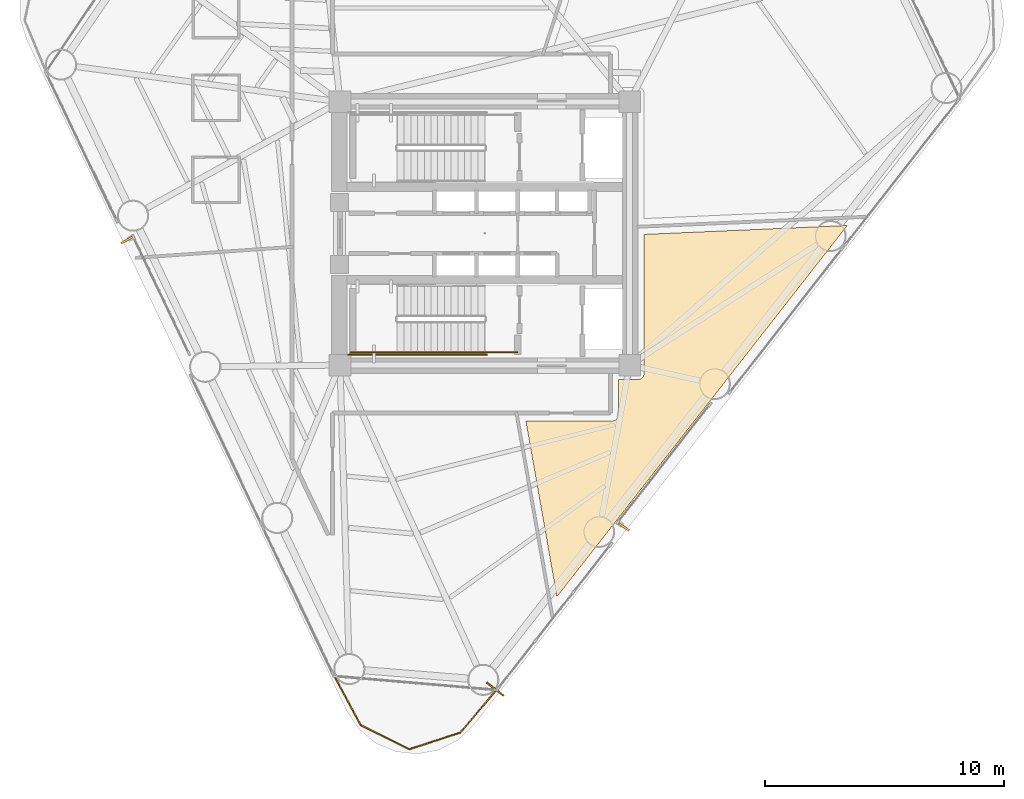
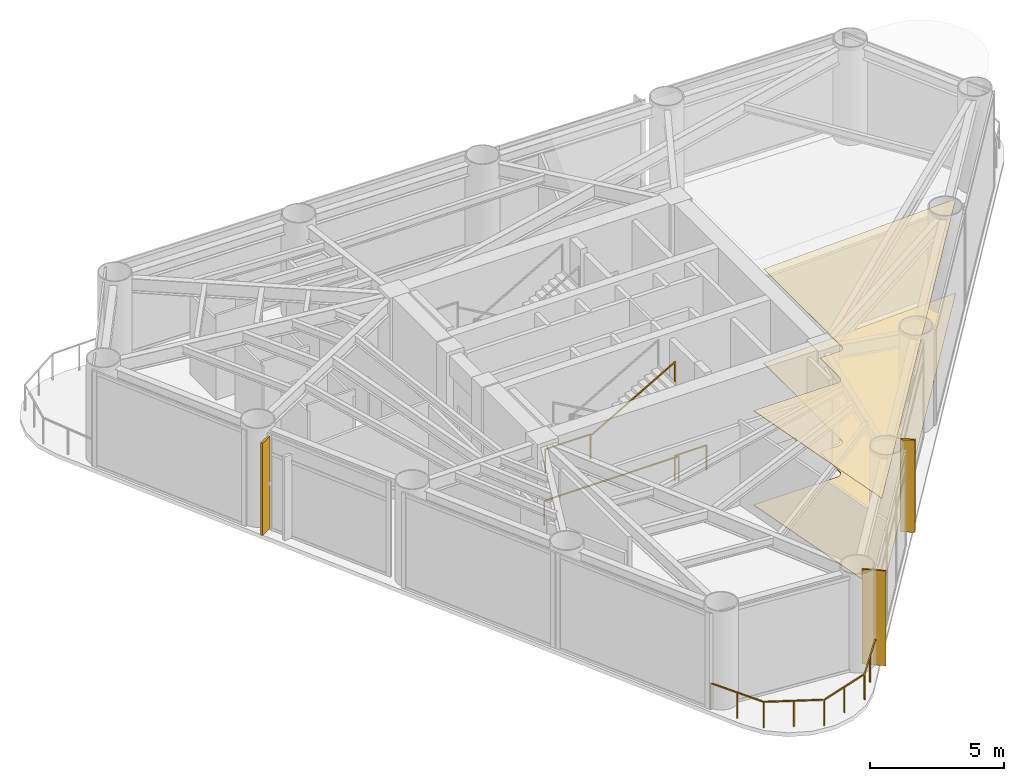
# One storey, part 8 of 11: 5 railings, 3 coverings, 2 shading devices.
"""IFC4 building model written with IfcOpenShell, lengths in metres."""

from ifc_helpers import new_model, si_unit, direction, frame, origin, origin_2d, place, context, subcontext, project, spatial, polyline, rectangle, outline, extrude, source, transform, mapped, material, layer, layer_set, material_profile, profile_set, type_object, element, save


model = new_model("IFC4")

# Units and contexts
model_context = context("Model", 3, precision=1e-05, world=origin(), true_north=direction((0.0, 1.0)))
body_context = subcontext(model_context, "Body", "Model", "MODEL_VIEW")
ifc_project = project(units=[si_unit("LENGTHUNIT", "METRE"), si_unit("AREAUNIT", "SQUARE_METRE"), si_unit("VOLUMEUNIT", "CUBIC_METRE"), si_unit("PLANEANGLEUNIT", "RADIAN"), si_unit("MASSUNIT", "GRAM", prefix="KILO")], contexts=[model_context])

# Site, building, storey
site_placement = place(None, origin())
site = spatial("IfcSite", under=ifc_project, at=site_placement, CompositionType="ELEMENT")
building_placement = place(site_placement, origin())
building = spatial("IfcBuilding", under=site, at=building_placement, Name="Yunling Apex Tower", CompositionType="ELEMENT")
storey_placement = place(building_placement, frame((0.0, 0.0, 125.0)))
storey = spatial("IfcBuildingStorey", under=building, at=storey_placement, Name="L30", CompositionType="ELEMENT", Elevation=125.0)

# Coverings
ifc_material_1 = material(Name="Acoustic mineral fibre ceiling")
ifc_layer_1 = layer(ifc_material_1, 0.02490234375)
ifc_layer_set_1 = layer_set([ifc_layer_1], Name="Acoustic mineral fibre ceiling")
covering_type_1 = type_object("IfcCoveringType", Name="CV-CLG-1", PredefinedType="CEILING", material=ifc_layer_set_1)
covering_1_placement = place(storey_placement, frame((0.0, 0.0, 4.294921875)))
element("IfcCovering", 1, at=covering_1_placement, inside=storey, type_object=covering_type_1, Name="CV-CL-SP-L30-R02", PredefinedType="CEILING", context=body_context, shape_type="SweptSolid", body=[
    extrude(outline(polyline([(15.145751953125, 0.3310546875), (3.011474609375, -15.17822265625), (1.7158203125, -7.830078125), (5.333740234375, -7.830078125), (5.35498046875, -7.829345703125), (5.380615234375, -7.824951171875), (5.402587890625, -7.819580078125), (5.4248046875, -7.8115234375), (5.4482421875, -7.80078125), (5.469970703125, -7.787353515625), (5.48876953125, -7.7734375), (5.5068359375, -7.7568359375), (5.5234375, -7.73876953125), (5.537353515625, -7.719970703125), (5.55078125, -7.6982421875), (5.5615234375, -7.6748046875), (5.569580078125, -7.652587890625), (5.574951171875, -7.630615234375), (5.579345703125, -7.60498046875), (5.580078125, -7.583740234375), (5.580078125, -6.10009765625), (6.40380859375, -6.10009765625), (6.4248046875, -6.099365234375), (6.45068359375, -6.094970703125), (6.472412109375, -6.089599609375), (6.494873046875, -6.08154296875), (6.518310546875, -6.07080078125), (6.5400390625, -6.057373046875), (6.55859375, -6.04345703125), (6.576904296875, -6.02685546875), (6.593505859375, -6.0087890625), (6.607421875, -5.989990234375), (6.62060546875, -5.96826171875), (6.631591796875, -5.94482421875), (6.639404296875, -5.922607421875), (6.64501953125, -5.900634765625), (6.6494140625, -5.875), (6.64990234375, -5.853759765625), (6.64990234375, -0.0400390625), (15.145751953125, 0.3310546875)])), origin(), (0.0, 0.0, 1.0), 0.025146484375),
])
ifc_material_2 = material(Name="Polished granite stone", Category="masonry")
ifc_layer_2 = layer(ifc_material_2, 0.030029296875)
ifc_layer_set_2 = layer_set([ifc_layer_2], Name="Polished granite stone")
covering_type_2 = type_object("IfcCoveringType", Name="CV-FLR-1", PredefinedType="FLOORING", material=ifc_layer_set_2)
covering_2_placement = place(storey_placement, origin())
element("IfcCovering", 2, at=covering_2_placement, inside=storey, type_object=covering_type_2, Name="CV-FL-SP-L30-R02", PredefinedType="FLOORING", context=body_context, shape_type="SweptSolid", body=[
    extrude(outline(polyline([(15.145751953125, 0.3310546875), (3.011474609375, -15.17822265625), (1.7158203125, -7.830078125), (5.333740234375, -7.830078125), (5.35498046875, -7.829345703125), (5.380615234375, -7.824951171875), (5.402587890625, -7.819580078125), (5.4248046875, -7.8115234375), (5.4482421875, -7.80078125), (5.469970703125, -7.787353515625), (5.48876953125, -7.7734375), (5.5068359375, -7.7568359375), (5.5234375, -7.73876953125), (5.537353515625, -7.719970703125), (5.55078125, -7.6982421875), (5.5615234375, -7.6748046875), (5.569580078125, -7.652587890625), (5.574951171875, -7.630615234375), (5.579345703125, -7.60498046875), (5.580078125, -7.583740234375), (5.580078125, -6.10009765625), (6.40380859375, -6.10009765625), (6.4248046875, -6.099365234375), (6.45068359375, -6.094970703125), (6.472412109375, -6.089599609375), (6.494873046875, -6.08154296875), (6.518310546875, -6.07080078125), (6.5400390625, -6.057373046875), (6.55859375, -6.04345703125), (6.576904296875, -6.02685546875), (6.593505859375, -6.0087890625), (6.607421875, -5.989990234375), (6.62060546875, -5.96826171875), (6.631591796875, -5.94482421875), (6.639404296875, -5.922607421875), (6.64501953125, -5.900634765625), (6.6494140625, -5.875), (6.64990234375, -5.853759765625), (6.64990234375, -0.0400390625), (15.145751953125, 0.3310546875)])), origin(), (0.0, 0.0, 1.0), 0.030029296875),
])

# Railings
ifc_material_3 = material(Name="Bronze anodised aluminium", Category="aluminium")
railing_type_1 = type_object("IfcRailingType", Name="RL-BAL-1200", PredefinedType="BALUSTRADE", material=ifc_material_3)
railing_1_placement = place(storey_placement, frame((0.4794921875, -19.07958984375, 0.0)))
element("IfcRailing", 3, at=railing_1_placement, inside=storey, type_object=railing_type_1, Name="RL-CRNSILL-L30-3", PredefinedType="BALUSTRADE", context=body_context, shape_type="SweptSolid", body=[
    extrude(rectangle(XDim=0.0439453125, YDim=0.0439453125, at=origin_2d()), origin(), (0.0, 0.0, 1.0), 1.199951171875),
    extrude(rectangle(XDim=0.0439453125, YDim=0.0439453125, at=origin_2d()), frame((-1.49853515625, -1.775390625, 0.0)), (0.0, 0.0, 1.0), 1.199951171875),
    extrude(rectangle(XDim=0.050048828125, YDim=0.050048828125, at=origin_2d()), frame((-0.024658203125, -0.029296875, 1.1748046875), z_axis=(-0.645009043245, -0.764174936865, 0.0), x_axis=(0.764174936865, -0.645009043245, 0.0)), (0.0, 0.0, 1.0), 2.24658203125),
    extrude(rectangle(XDim=0.0439453125, YDim=0.0439453125, at=origin_2d()), frame((-0.749267578125, -0.8876953125, 0.0)), (0.0, 0.0, 1.0), 1.14599609375),
    extrude(rectangle(XDim=0.0439453125, YDim=0.0439453125, at=origin_2d()), frame((-3.640380859375, -2.473876953125, 0.0)), (0.0, 0.0, 1.0), 1.199951171875),
    extrude(rectangle(XDim=0.050048828125, YDim=0.050048828125, at=origin_2d()), frame((-1.534912109375, -1.787353515625, 1.1748046875), z_axis=(-0.950722201045, -0.310044023389, 0.0), x_axis=(0.310044023389, -0.950722201045, 0.0)), (0.0, 0.0, 1.0), 2.17626953125),
    extrude(rectangle(XDim=0.0439453125, YDim=0.0439453125, at=origin_2d()), frame((-2.5693359375, -2.12451171875, 0.0)), (0.0, 0.0, 1.0), 1.14599609375),
    extrude(rectangle(XDim=0.0439453125, YDim=0.0439453125, at=origin_2d()), frame((-5.662841796875, -1.464111328125, 0.0)), (0.0, 0.0, 1.0), 1.199951171875),
    extrude(rectangle(XDim=0.050048828125, YDim=0.050048828125, at=origin_2d()), frame((-3.674560546875, -2.456787109375, 1.1748046875), z_axis=(-0.894686244893, 0.446695112129, 0.0), x_axis=(-0.446695112129, -0.894686244893, 0.0)), (0.0, 0.0, 1.0), 2.183837890625),
    extrude(rectangle(XDim=0.0439453125, YDim=0.0439453125, at=origin_2d()), frame((-4.651611328125, -1.968994140625, 0.0)), (0.0, 0.0, 1.0), 1.14599609375),
    extrude(rectangle(XDim=0.0439453125, YDim=0.0439453125, at=origin_2d()), frame((-6.76416015625, 0.580810546875, 0.0)), (0.0, 0.0, 1.0), 1.199951171875),
    extrude(rectangle(XDim=0.050048828125, YDim=0.050048828125, at=origin_2d()), frame((-5.680908203125, -1.430419921875, 1.1748046875), z_axis=(-0.474168772438, 0.880433969838, 0.0), x_axis=(-0.880433969838, -0.474168772438, 0.0)), (0.0, 0.0, 1.0), 2.245849609375),
    extrude(rectangle(XDim=0.0439453125, YDim=0.0439453125, at=origin_2d()), frame((-6.21337890625, -0.441650390625, 0.0)), (0.0, 0.0, 1.0), 1.14599609375),
])
ifc_material_4 = material(Name="Steel Q355B", Category="steel")
railing_type_2 = type_object("IfcRailingType", Name="RL-GRD-1150", PredefinedType="GUARDRAIL", material=ifc_material_4)
railing_2_placement = place(storey_placement, frame((-3.64990234375, -4.9599609375, 2.25)))
element("IfcRailing", 4, at=railing_2_placement, inside=storey, type_object=railing_type_2, Name="L30 ST-2 stair guard 3", PredefinedType="GUARDRAIL", context=body_context, shape_type="SweptSolid", body=[
    extrude(rectangle(XDim=0.0439453125, YDim=0.0439453125, at=origin_2d()), origin(), (0.0, 0.0, 1.0), 1.14990234375),
    extrude(rectangle(XDim=0.0439453125, YDim=0.0439453125, at=origin_2d()), frame((-1.9501953125, 0.0, 0.0)), (0.0, 0.0, 1.0), 1.14990234375),
    extrude(rectangle(XDim=0.050048828125, YDim=0.050048828125, at=origin_2d()), frame((-0.038330078125, 0.0, 1.125), z_axis=(-1.0, 0.0, 0.0), x_axis=(0.0, -1.0, 0.0)), (0.0, 0.0, 1.0), 1.87353515625),
])
railing_3_placement = place(storey_placement, frame((1.35009765625, -4.9599609375, 0.0)))
element("IfcRailing", 5, at=railing_3_placement, inside=storey, type_object=railing_type_2, Name="L30 ST-2 stair guard 6", PredefinedType="GUARDRAIL", context=body_context, shape_type="SweptSolid", body=[
    extrude(rectangle(XDim=0.0439453125, YDim=0.0439453125, at=origin_2d()), origin(), (0.0, 0.0, 1.0), 1.14990234375),
    extrude(rectangle(XDim=0.0439453125, YDim=0.0439453125, at=origin_2d()), frame((-1.360107421875, 0.0, 0.0)), (0.0, 0.0, 1.0), 1.14990234375),
    extrude(rectangle(XDim=0.050048828125, YDim=0.050048828125, at=origin_2d()), frame((-0.038330078125, 0.0, 1.125), z_axis=(-1.0, 0.0, 0.0), x_axis=(0.0, -1.0, 0.0)), (0.0, 0.0, 1.0), 1.283447265625),
])
railing_4_placement = place(storey_placement, frame((0.090087890625, -5.06005859375, 0.0)))
element("IfcRailing", 6, at=railing_4_placement, inside=storey, type_object=railing_type_2, Name="L30 ST-2 stair guard 7", PredefinedType="GUARDRAIL", context=body_context, shape_type="SweptSolid", body=[
    extrude(rectangle(XDim=0.0439453125, YDim=0.0439453125, at=origin_2d()), origin(), (0.0, 0.0, 1.0), 1.14990234375),
    extrude(rectangle(XDim=0.0439453125, YDim=0.0439453125, at=origin_2d()), frame((-5.7900390625, 0.0, 0.0)), (0.0, 0.0, 1.0), 1.14990234375),
    extrude(rectangle(XDim=0.050048828125, YDim=0.050048828125, at=origin_2d()), frame((-0.038330078125, 0.0, 1.125), z_axis=(-1.0, 0.0, 0.0), x_axis=(0.0, -1.0, 0.0)), (0.0, 0.0, 1.0), 5.71337890625),
])
ifc_material_5 = material(Name="Silver anodised aluminium", Category="aluminium")
railing_type_3 = type_object("IfcRailingType", Name="RL-HND-900", PredefinedType="HANDRAIL", material=ifc_material_5)
railing_5_placement = place(storey_placement, frame((-3.64990234375, -4.9599609375, 2.41064453125)))
element("IfcRailing", 7, at=railing_5_placement, inside=storey, type_object=railing_type_3, Name="L30 ST-2 stair handrail 2", PredefinedType="HANDRAIL", context=body_context, shape_type="SweptSolid", body=[
    extrude(rectangle(XDim=0.0439453125, YDim=0.0439453125, at=origin_2d()), origin(), (0.0, 0.0, 1.0), 0.919921875),
    extrude(rectangle(XDim=0.0439453125, YDim=0.0439453125, at=origin_2d()), frame((3.639892578125, 0.0, 2.08935546875)), (0.0, 0.0, 1.0), 0.919921875),
    extrude(rectangle(XDim=0.050048828125, YDim=0.050048828125, at=origin_2d()), frame((0.033203125, 0.0, 0.9140625), z_axis=(0.8672749571, 0.0, 0.497829437445), x_axis=(0.0, 1.0, 0.0)), (0.0, 0.0, 1.0), 4.120361328125),
])

# Covering
ifc_layer_3 = layer(ifc_material_3, 0.0400390625)
ifc_layer_set_3 = layer_set([ifc_layer_3], Name="Bronze anodised aluminium")
covering_type_3 = type_object("IfcCoveringType", Name="CV-CLD-1", PredefinedType="CLADDING", material=ifc_layer_set_3)
shared_shape_1 = source(origin(), body_context, "Body", "SweptSolid", [
    extrude(rectangle(XDim=0.06005859375, YDim=0.89990234375, at=origin_2d()), origin(), (0.0, 0.0, 1.0), 4.320068359375),
])
covering_3_placement = place(storey_placement, frame((0.43212890625, -19.042724609375, 0.0), z_axis=(0.0, 0.0, 1.0), x_axis=(0.616211460536, 0.787580748815, 0.0)))
element("IfcCovering", 8, at=covering_3_placement, inside=storey, type_object=covering_type_3, Name="CV-CLD-L30", PredefinedType="CLADDING", context=body_context, shape_type="MappedRepresentation", body=[
    mapped(shared_shape_1, transform((0.0, 0.0, 0.0), scale=1.0)),
])

# Shading devices
ifc_material_profile = material_profile(ifc_material_3, rectangle(XDim=0.0849609375, YDim=0.550048828125, at=origin_2d()))
ifc_profile_set = profile_set([ifc_material_profile], Name="Bronze anodised aluminium")
shading_device_type = type_object("IfcShadingDeviceType", Name="FN-BRZ-3", PredefinedType="USERDEFINED", material=ifc_profile_set)
shared_shape_2 = source(origin(), body_context, "Body", "SweptSolid", [
    extrude(rectangle(XDim=0.0849609375, YDim=0.550048828125, at=origin_2d()), origin(), (0.0, 0.0, 1.0), 4.199951171875),
])
for number, where, z_axis, x_axis, name in (
    (9, (5.810302734375, -12.258056640625, 0.06005859375), (0.0, 0.0, 1.0), (0.563381859003, 0.826196635763, 0.0), "CW-L30-F1-B2-FIN-01"),
    (10, (-14.967529296875, -0.283203125, 0.06005859375), (0.0, 0.0, 1.0), (0.488621241497, -0.872496007073, 0.0), "CW-L30-F3-B2-FIN-01"),
):
    element("IfcShadingDevice", number, at=place(storey_placement, frame(where, z_axis=z_axis, x_axis=x_axis)), inside=storey, type_object=shading_device_type, Name=name, ObjectType="FIN", PredefinedType="USERDEFINED", context=body_context, shape_type="MappedRepresentation", body=[
        mapped(shared_shape_2, transform((0.0, 0.0, 0.0), scale=1.0)),
    ])

save(model, "model.ifc")
